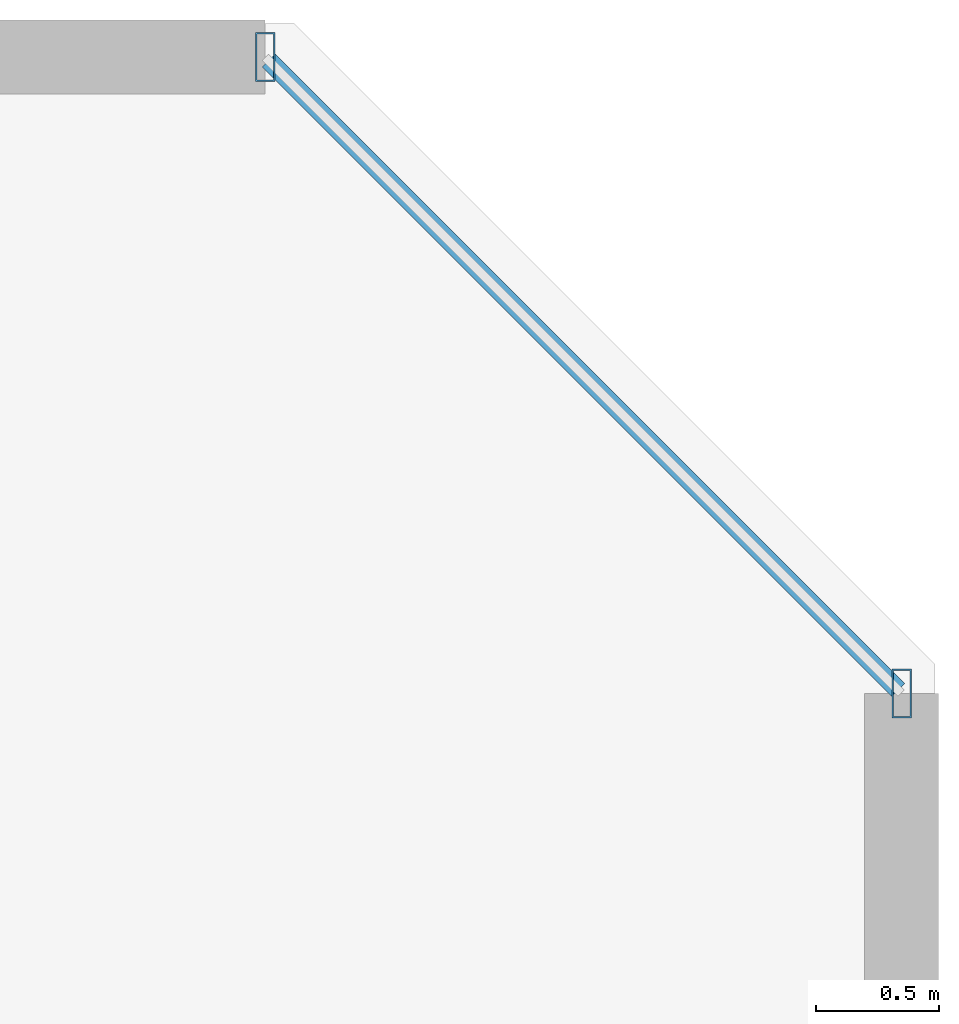
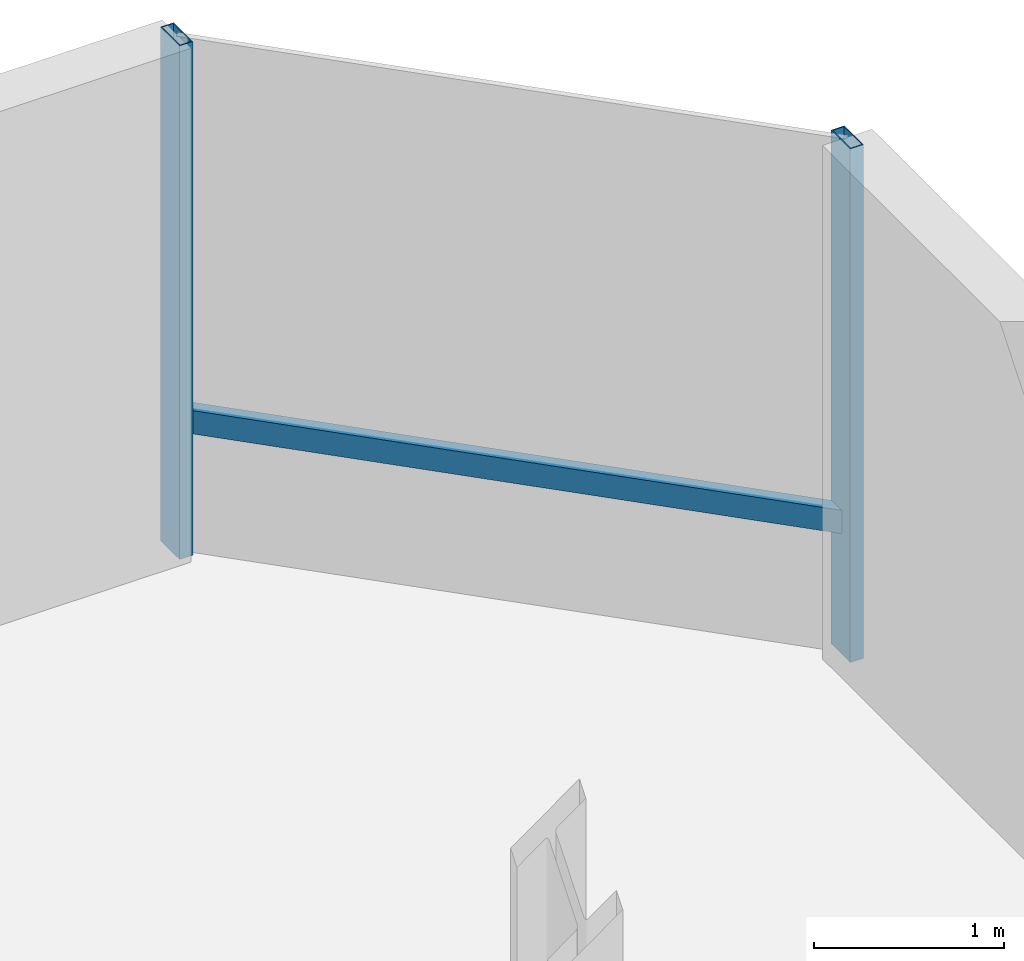
# One storey, part 27 of 45: 3 members, 1 element without a shape of its own.
"""IFC4 building model written with IfcOpenShell, lengths in metres."""

from ifc_helpers import new_model, si_unit, direction, frame, origin, origin_2d, place, context, subcontext, project, spatial, hollow_rectangle, extrude, material, material_profile, profile_set, type_object, element, aggregate, save


model = new_model("IFC4")

# Units and contexts
model_context = context("Model", 3, precision=1e-05, world=origin(), true_north=direction((0.0, 1.0)))
body_context = subcontext(model_context, "Body", "Model", "MODEL_VIEW")
ifc_project = project(units=[si_unit("LENGTHUNIT", "METRE"), si_unit("AREAUNIT", "SQUARE_METRE"), si_unit("VOLUMEUNIT", "CUBIC_METRE"), si_unit("PLANEANGLEUNIT", "RADIAN"), si_unit("MASSUNIT", "GRAM", prefix="KILO")], contexts=[model_context])

# Site, building, storey
site_placement = place(None, origin())
site = spatial("IfcSite", under=ifc_project, at=site_placement, CompositionType="ELEMENT")
building_placement = place(site_placement, origin())
building = spatial("IfcBuilding", under=site, at=building_placement, Name="Thornwick Lancets Civic Towers", CompositionType="ELEMENT")
storey_placement = place(building_placement, frame((0.0, 0.0, 141.300048828125)))
storey = spatial("IfcBuildingStorey", under=building, at=storey_placement, Name="L37", CompositionType="ELEMENT", Elevation=141.300048828125)

# Curtain wall, members
ifc_material_1 = material(Name="Mid-zone chamfered-corner unitised glass curtain wall", Category="glass")
curtain_wall_type = type_object("IfcCurtainWallType", Name="CW_SYS_04", PredefinedType="NOTDEFINED", material=ifc_material_1)
curtain_wall_placement = place(storey_placement, origin())
curtain_wall = element("IfcCurtainWall", 1, at=curtain_wall_placement, inside=storey, type_object=curtain_wall_type, Name="L37 Curtain Wall CW-L37-B-E3", PredefinedType="NOTDEFINED")
ifc_material_2 = material(Name="Thermally broken bronze aluminium S355", Category="steel")
ifc_material_profile_1 = material_profile(ifc_material_2, hollow_rectangle(XDim=0.080078125, YDim=0.199951171875, WallThickness=0.006103515625, at=origin_2d()), Name="RHS 200x80x6")
ifc_profile_set_1 = profile_set([ifc_material_profile_1], Name="Thermally broken bronze aluminium S355")
member_type_1 = type_object("IfcMemberType", Name="CW_MUL_200", PredefinedType="MULLION", material=ifc_profile_set_1)
member_1_placement = place(storey_placement, frame((112.2646484375, 42.181396484375, 0.0), z_axis=(0.0, 0.0, 1.0), x_axis=(1.0, 0.0, 0.0)))
member_1 = element("IfcMember", 2, at=member_1_placement, type_object=member_type_1, Name="CW-L37-B-E3 Mullion 0", PredefinedType="MULLION", context=body_context, shape_type="SweptSolid", body=[
    extrude(hollow_rectangle(XDim=0.080078125, YDim=0.199951171875, WallThickness=0.006103515625, at=origin_2d()), origin(), (0.0, 0.0, 1.0), 3.300048828125),
])
member_2_placement = place(storey_placement, frame((109.681396484375, 44.7646484375, 0.0), z_axis=(0.0, 0.0, 1.0), x_axis=(1.0, 0.0, 0.0)))
member_2 = element("IfcMember", 3, at=member_2_placement, type_object=member_type_1, Name="CW-L37-B-E3 Mullion 1", PredefinedType="MULLION", context=body_context, shape_type="SweptSolid", body=[
    extrude(hollow_rectangle(XDim=0.080078125, YDim=0.199951171875, WallThickness=0.006103515625, at=origin_2d()), origin(), (0.0, 0.0, 1.0), 3.300048828125),
])
ifc_material_profile_2 = material_profile(ifc_material_2, hollow_rectangle(XDim=0.074951171875, YDim=0.14990234375, WallThickness=0.0048828125, at=origin_2d()), Name="RHS 150x75x5")
ifc_profile_set_2 = profile_set([ifc_material_profile_2], Name="Thermally broken bronze aluminium S355")
member_type_2 = type_object("IfcMemberType", Name="CW_TRN_150", PredefinedType="USERDEFINED", material=ifc_profile_set_2)
member_3_placement = place(storey_placement, frame((112.25048828125, 42.195556640625, 0.849853515625), z_axis=(-0.707106781187, 0.707106781187, 0.0), x_axis=(-0.707106781187, -0.707106781187, 0.0)))
member_3 = element("IfcMember", 4, at=member_3_placement, type_object=member_type_2, Name="CW-L37-B-E3 Transom 0", ObjectType="TRANSOM", PredefinedType="USERDEFINED", context=body_context, shape_type="SweptSolid", body=[
    extrude(hollow_rectangle(XDim=0.074951171875, YDim=0.14990234375, WallThickness=0.0048828125, at=origin_2d()), origin(), (0.0, 0.0, 1.0), 3.61328125),
])
aggregate(curtain_wall, [member_1, member_2, member_3])

save(model, "model.ifc")
